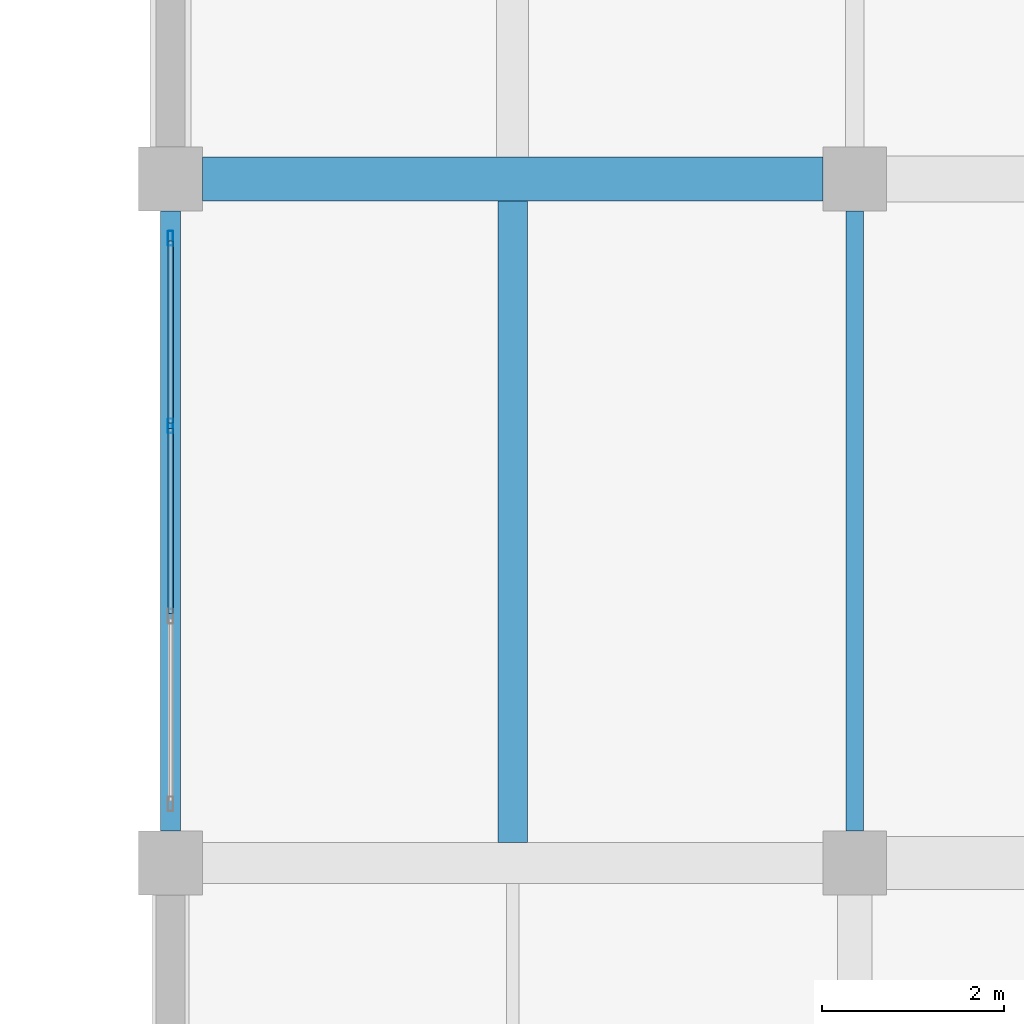
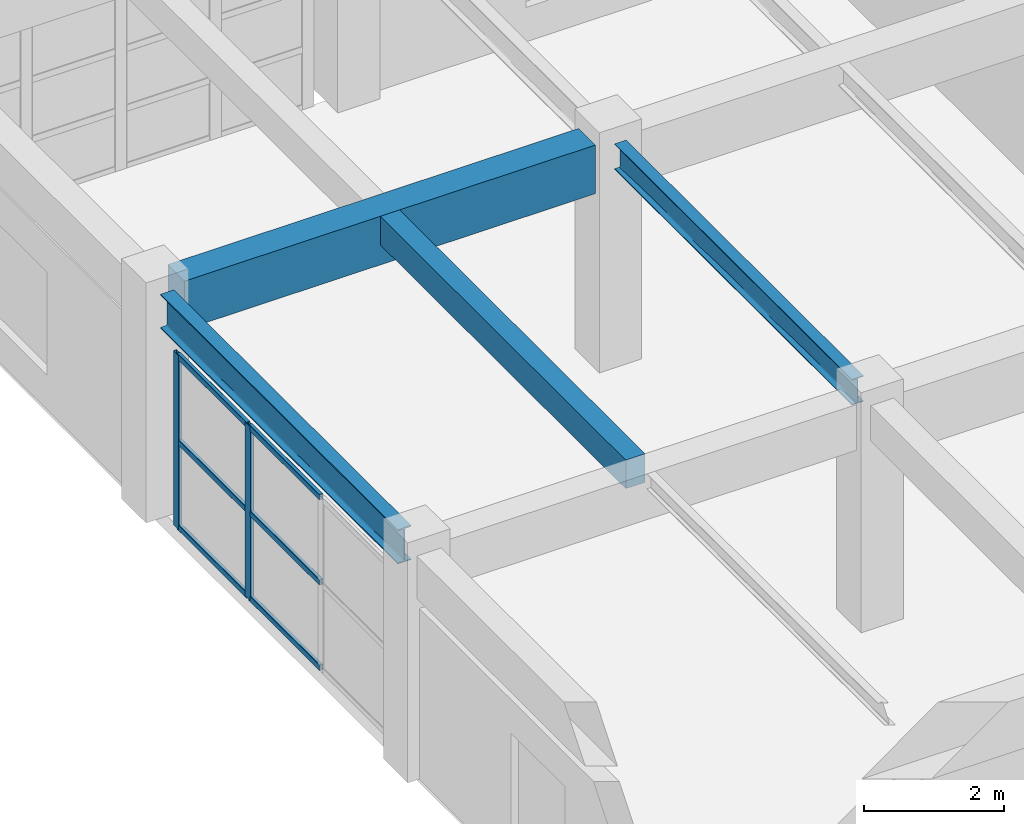
# One storey, part 62 of 132: 8 members, 4 beams, 1 element without a shape of its own.
"""IFC4 building model written with IfcOpenShell, lengths in metres."""

import ifcopenshell
import ifcopenshell.guid

model = None  # the IFC model being written
_history = None  # IfcOwnerHistory: only IFC2X3 demands one
_inside = {}  # id of a spatial element -> (the spatial element, [elements in it])
_under = {}  # id of a project, library or spatial element -> (it, [spatial elements below it])
_declared = {}  # id of a project -> (the project, [libraries it declares])
_typed = {}  # id of a type object -> (the type object, [elements of that type])
_made_of = {}  # id of a material, layer set ... -> (it, [elements and type objects made of it])


def new_model(schema):
    """Start an empty IFC model of exactly this schema.

    Asked for "IFC4X3", IfcOpenShell would pick the latest addendum, in which some entities
    have other attributes; the version numbers below select the first issue.
    IFC2X3 requires an IfcOwnerHistory on every rooted entity: one is made here for all.
    """
    global model, _history
    if schema == "IFC4X3":
        model = ifcopenshell.file(schema_version=(4, 3, 0, 0))
    else:
        model = ifcopenshell.file(schema=schema)
    _inside.clear()
    _under.clear()
    _declared.clear()
    _typed.clear()
    _made_of.clear()
    _history = None
    if model.schema == "IFC2X3":
        org = make("IfcOrganization", Name="unknown")
        user = make(
            "IfcPersonAndOrganization",
            ThePerson=make("IfcPerson", FamilyName="unknown"),
            TheOrganization=org,
        )
        app = make(
            "IfcApplication",
            ApplicationDeveloper=org,
            Version="unknown",
            ApplicationFullName="unknown",
            ApplicationIdentifier="unknown",
        )
        _history = make(
            "IfcOwnerHistory",
            OwningUser=user,
            OwningApplication=app,
            ChangeAction="ADDED",
            CreationDate=0,
        )
    return model


def make(cls, **values):
    """One entity of the class cls with the attributes given. An attribute that is None is left unset."""
    return model.create_entity(
        cls, **{name: value for name, value in values.items() if value is not None}
    )


def rooted(cls, **values):
    """An entity with a GlobalId (a new one), such as an element, a storey or a relation."""
    return make(cls, GlobalId=ifcopenshell.guid.new(), OwnerHistory=_history, **values)


def si_unit(unit_type, name, prefix=None):
    """IfcSIUnit, for example si_unit("LENGTHUNIT", "METRE", prefix="MILLI")."""
    return make("IfcSIUnit", UnitType=unit_type, Prefix=prefix, Name=name)


def assignment(units):
    """IfcUnitAssignment: the units of a project."""
    return None if units is None else make("IfcUnitAssignment", Units=units)


def point(xyz):
    """IfcCartesianPoint."""
    return None if xyz is None else make("IfcCartesianPoint", Coordinates=xyz)


def direction(xyz):
    """IfcDirection."""
    return None if xyz is None else make("IfcDirection", DirectionRatios=xyz)


def frame(location, z_axis=None, x_axis=None):
    """IfcAxis2Placement3D, a coordinate frame: its origin and axes. An axis left out is left unset."""
    return make(
        "IfcAxis2Placement3D",
        Location=point(location),
        Axis=direction(z_axis),
        RefDirection=direction(x_axis),
    )


def frame_2d(location, x_axis=None):
    """IfcAxis2Placement2D, a coordinate frame in the plane: its origin and x axis."""
    return make(
        "IfcAxis2Placement2D", Location=point(location), RefDirection=direction(x_axis)
    )


def origin():
    """The frame at (0, 0, 0) with its axes left unset."""
    return frame((0.0, 0.0, 0.0))


def origin_2d():
    """The frame at (0, 0) in the plane with its x axis left unset."""
    return frame_2d((0.0, 0.0))


def place(relative_to, where):
    """IfcLocalPlacement: puts the frame where relative to a parent placement (None: the world)."""
    return make(
        "IfcLocalPlacement", PlacementRelTo=relative_to, RelativePlacement=where
    )


def context(
    kind, dimensions, precision=None, world=None, true_north=None, identifier=None
):
    """IfcGeometricRepresentationContext, for example the 3D "Model" context."""
    return make(
        "IfcGeometricRepresentationContext",
        ContextIdentifier=identifier,
        ContextType=kind,
        CoordinateSpaceDimension=dimensions,
        Precision=precision,
        WorldCoordinateSystem=world,
        TrueNorth=true_north,
    )


def subcontext(parent, identifier, kind, view, scale=None):
    """IfcGeometricRepresentationSubContext, for example "Body" below "Model"."""
    return make(
        "IfcGeometricRepresentationSubContext",
        ContextIdentifier=identifier,
        ContextType=kind,
        ParentContext=parent,
        TargetScale=scale,
        TargetView=view,
    )


def project(units=None, contexts=None):
    """IfcProject with its units and contexts."""
    return rooted(
        "IfcProject",
        Name="project",
        RepresentationContexts=contexts,
        UnitsInContext=assignment(units),
    )


def spatial(cls, under=None, at=None, **own):
    """A site, building, storey or space (cls), placed at a placement, below another one or the project."""
    s = rooted(cls, ObjectPlacement=at, **own)
    if under is not None:
        _under.setdefault(under.id(), (under, []))[1].append(s)
    return s


def profile(cls, at=None, kind="AREA", **sizes):
    """A parametric profile (cls). Its sizes go by their IFC names, for example OverallWidth=200.0."""
    return make(cls, ProfileType=kind, Position=at, **sizes)


def rectangle(**sizes):
    """IfcRectangleProfileDef."""
    return profile("IfcRectangleProfileDef", **sizes)


def hollow_rectangle(**sizes):
    """IfcRectangleHollowProfileDef."""
    return profile("IfcRectangleHollowProfileDef", **sizes)


def i_section(**sizes):
    """IfcIShapeProfileDef."""
    return profile("IfcIShapeProfileDef", **sizes)


def extrude(swept, where, along, depth):
    """IfcExtrudedAreaSolid: the profile swept, set in the frame where, extruded along a direction by depth."""
    return make(
        "IfcExtrudedAreaSolid",
        SweptArea=swept,
        Position=where,
        ExtrudedDirection=direction(along),
        Depth=depth,
    )


def shape(context_of_items, identifier, shape_type, items):
    """IfcShapeRepresentation: the items that make up one representation, for example the "Body"."""
    return make(
        "IfcShapeRepresentation",
        ContextOfItems=context_of_items,
        RepresentationIdentifier=identifier,
        RepresentationType=shape_type,
        Items=items,
    )


def material(Name=None, Category=None):
    """IfcMaterial."""
    return make("IfcMaterial", Name=Name, Category=Category)


def material_profile(
    of_material, cross_section, Name=None, Category=None, Priority=None
):
    """IfcMaterialProfile: a cross section and its material."""
    return make(
        "IfcMaterialProfile",
        Name=Name,
        Material=of_material,
        Profile=cross_section,
        Priority=Priority,
        Category=Category,
    )


def profile_set(profiles, Name=None, composite=None):
    """IfcMaterialProfileSet."""
    return make(
        "IfcMaterialProfileSet",
        Name=Name,
        MaterialProfiles=profiles,
        CompositeProfile=composite,
    )


def made_of(thing, what):
    """Note that an element or type object is made of a material, layer set ...; save() writes the relation."""
    if what is not None:
        _made_of.setdefault(what.id(), (what, []))[1].append(thing)
    return thing


def type_object(cls, material=None, **own):
    """A type object (cls), such as IfcWallType, which elements share."""
    return made_of(rooted(cls, **own), material)


def element(
    cls,
    number,
    at=None,
    inside=None,
    cuts=None,
    type_object=None,
    material=None,
    context=None,
    identifier="Body",
    shape_type=None,
    held_by="IfcProductDefinitionShape",
    body=None,
    shapes=None,
    **own,
):
    """One element of the class cls, such as IfcWall. Its Tag is "e" and its number.

    at: its placement. inside: the storey or other place that contains it. cuts: it is an
    opening in that element (IfcRelVoidsElement). A single representation is given by context,
    identifier, shape_type and body (its items); several are given by shapes. held_by: the class
    of the entity that holds the representations. save() writes the other relations.
    """
    e = rooted(cls, Tag="e%d" % number, ObjectPlacement=at, **own)
    if body is not None:
        shapes = [shape(context, identifier, shape_type, body)]
    if shapes is not None:
        e.Representation = make(held_by, Representations=shapes)
    if inside is not None:
        _inside.setdefault(inside.id(), (inside, []))[1].append(e)
    if cuts is not None:
        rooted(
            "IfcRelVoidsElement", RelatingBuildingElement=cuts, RelatedOpeningElement=e
        )
    if type_object is not None:
        _typed.setdefault(type_object.id(), (type_object, []))[1].append(e)
    return made_of(e, material)


def aggregate(whole, parts):
    """IfcRelAggregates: a whole, such as a stair, and the parts it consists of."""
    return rooted("IfcRelAggregates", RelatingObject=whole, RelatedObjects=parts)


def save(model, path):
    """Write the relations noted so far, then the file.

    IfcRelAggregates (storeys below a building ...), IfcRelContainedInSpatialStructure (elements
    in a storey), IfcRelDefinesByType, IfcRelAssociatesMaterial and IfcRelDeclares: one each for
    every whole, place, type object, material and project.
    """
    for whole, parts in _under.values():
        aggregate(whole, parts)
    for where, things in _inside.values():
        rooted(
            "IfcRelContainedInSpatialStructure",
            RelatedElements=things,
            RelatingStructure=where,
        )
    for kind, things in _typed.values():
        rooted("IfcRelDefinesByType", RelatedObjects=things, RelatingType=kind)
    for what, things in _made_of.values():
        rooted("IfcRelAssociatesMaterial", RelatedObjects=things, RelatingMaterial=what)
    for by, libraries in _declared.values():
        rooted("IfcRelDeclares", RelatingContext=by, RelatedDefinitions=libraries)
    model.write(path)


model = new_model("IFC4")

# Units and contexts
model_context = context("Model", 3, precision=1e-05, world=origin(), true_north=direction((0.0, 1.0)))
body_context = subcontext(model_context, "Body", "Model", "MODEL_VIEW")
ifc_project = project(units=[si_unit("LENGTHUNIT", "METRE"), si_unit("AREAUNIT", "SQUARE_METRE"), si_unit("VOLUMEUNIT", "CUBIC_METRE"), si_unit("PLANEANGLEUNIT", "RADIAN"), si_unit("MASSUNIT", "GRAM", prefix="KILO")], contexts=[model_context])

# Site, building, storey
site_placement = place(None, origin())
site = spatial("IfcSite", under=ifc_project, at=site_placement, CompositionType="ELEMENT")
building_placement = place(site_placement, origin())
building = spatial("IfcBuilding", under=site, at=building_placement, Name="Qasida Concert Hall", CompositionType="ELEMENT")
storey_placement = place(building_placement, frame((0.0, 0.0, 4.800048828125)))
storey = spatial("IfcBuildingStorey", under=building, at=storey_placement, Name="L01", CompositionType="ELEMENT", Elevation=4.800048828125)

# Beams
ifc_material_1 = material(Name="Steel S355J2", Category="steel")
ifc_material_profile_1 = material_profile(ifc_material_1, i_section(OverallWidth=0.18994140625, OverallDepth=0.449951171875, WebThickness=0.009521484375, FlangeThickness=0.0146484375, FilletRadius=0.02099609375, at=origin_2d()), Name="IPE 450")
ifc_profile_set_1 = profile_set([ifc_material_profile_1], Name="Steel S355J2")
beam_type_1 = type_object("IfcBeamType", Name="BM-B5", PredefinedType="BEAM", material=ifc_profile_set_1)
beam_1_placement = place(storey_placement, frame((127.5, 97.85009765625, 3.695068359375), z_axis=(0.0, 1.0, 0.0), x_axis=(-1.0, 0.0, 0.0)))
element("IfcBeam", 1, at=beam_1_placement, inside=storey, type_object=beam_type_1, Name="L01 girder 1018", PredefinedType="BEAM", context=body_context, shape_type="SweptSolid", body=[
    extrude(i_section(OverallWidth=0.18994140625, OverallDepth=0.449951171875, WebThickness=0.009521484375, FlangeThickness=0.0146484375, FilletRadius=0.02099609375, at=origin_2d()), origin(), (0.0, 0.0, 1.0), 6.7998046875),
])
ifc_material_2 = material(Name="Concrete C40/50", Category="concrete")
ifc_material_profile_2 = material_profile(ifc_material_2, rectangle(XDim=0.47998046875, YDim=0.85009765625, at=origin_2d()), Name="RC 480x850")
ifc_profile_set_2 = profile_set([ifc_material_profile_2], Name="Concrete C40/50")
beam_type_2 = type_object("IfcBeamType", Name="BM-G6", PredefinedType="USERDEFINED", material=ifc_profile_set_2)
beam_2_placement = place(storey_placement, frame((120.35009765625, 105.0, 3.494873046875), z_axis=(1.0, 0.0, 0.0), x_axis=(0.0, 1.0, 0.0)))
element("IfcBeam", 2, at=beam_2_placement, inside=storey, type_object=beam_type_2, Name="Primary girder 0998", ObjectType="GIRDER", PredefinedType="USERDEFINED", context=body_context, shape_type="SweptSolid", body=[
    extrude(rectangle(XDim=0.47998046875, YDim=0.85009765625, at=origin_2d()), origin(), (0.0, 0.0, 1.0), 6.7998046875),
])
ifc_material_profile_3 = material_profile(ifc_material_2, rectangle(XDim=0.320068359375, YDim=0.5, at=origin_2d()), Name="RC 320x500")
ifc_profile_set_3 = profile_set([ifc_material_profile_3], Name="Concrete C40/50")
beam_type_3 = type_object("IfcBeamType", Name="BM-J7", PredefinedType="JOIST", material=ifc_profile_set_3)
beam_3_placement = place(storey_placement, frame((123.75, 97.72509765625, 3.669921875), z_axis=(0.0, 1.0, 0.0), x_axis=(-1.0, 0.0, 0.0)))
element("IfcBeam", 3, at=beam_3_placement, inside=storey, type_object=beam_type_3, Name="L01 secondary joist 1046", PredefinedType="JOIST", context=body_context, shape_type="SweptSolid", body=[
    extrude(rectangle(XDim=0.320068359375, YDim=0.5, at=origin_2d()), origin(), (0.0, 0.0, 1.0), 7.034912109375),
])
ifc_material_profile_4 = material_profile(ifc_material_1, i_section(OverallWidth=0.219970703125, OverallDepth=0.60009765625, WebThickness=0.011962890625, FlangeThickness=0.01904296875, FilletRadius=0.02392578125, at=origin_2d()), Name="IPE 600")
ifc_profile_set_4 = profile_set([ifc_material_profile_4], Name="Steel S355J2")
beam_type_4 = type_object("IfcBeamType", Name="BM-SP3", PredefinedType="SPANDREL", material=ifc_profile_set_4)
beam_4_placement = place(storey_placement, frame((120.0, 97.85009765625, 3.619873046875), z_axis=(0.0, 1.0, 0.0), x_axis=(-1.0, 0.0, 0.0)))
element("IfcBeam", 4, at=beam_4_placement, inside=storey, type_object=beam_type_4, Name="L01 girder 1013", PredefinedType="SPANDREL", context=body_context, shape_type="SweptSolid", body=[
    extrude(i_section(OverallWidth=0.219970703125, OverallDepth=0.60009765625, WebThickness=0.011962890625, FlangeThickness=0.01904296875, FilletRadius=0.02392578125, at=origin_2d()), origin(), (0.0, 0.0, 1.0), 6.7998046875),
])

# Curtain wall, members
ifc_material_3 = material(Name="Architectural bronze-anodized aluminium and low-E glass", Category="aluminium")
curtain_wall_type = type_object("IfcCurtainWallType", Name="CW-09", PredefinedType="NOTDEFINED", material=ifc_material_3)
curtain_wall_placement = place(storey_placement, origin())
curtain_wall = element("IfcCurtainWall", 5, at=curtain_wall_placement, inside=storey, type_object=curtain_wall_type, Name="L01 curtain wall CW-09 0167", PredefinedType="NOTDEFINED")
ifc_material_4 = material(Name="Architectural bronze-anodized aluminium EN AW-6063", Category="aluminium")
ifc_material_profile_5 = material_profile(ifc_material_4, hollow_rectangle(XDim=0.06005859375, YDim=0.159912109375, WallThickness=0.00390625, InnerFilletRadius=0.00390625, OuterFilletRadius=0.008056640625, at=origin_2d()), Name="CWM 160x60x4")
ifc_profile_set_5 = profile_set([ifc_material_profile_5], Name="Architectural bronze-anodized aluminium EN AW-6063")
member_type_1 = type_object("IfcMemberType", Name="MB-CWM-3", PredefinedType="MULLION", material=ifc_profile_set_5)
member_1_placement = place(storey_placement, frame((120.0, 102.293212890625, 0.0), z_axis=(0.0, 0.0, 1.0), x_axis=(-1.0, 0.0, 0.0)))
member_1 = element("IfcMember", 6, at=member_1_placement, type_object=member_type_1, Name="CW-09 mullion 3", PredefinedType="MULLION", context=body_context, shape_type="SweptSolid", body=[
    extrude(hollow_rectangle(XDim=0.06005859375, YDim=0.159912109375, WallThickness=0.00390625, InnerFilletRadius=0.00390625, OuterFilletRadius=0.008056640625, at=origin_2d()), origin(), (0.0, 0.0, 1.0), 3.0400390625),
])
member_2_placement = place(storey_placement, frame((120.0, 104.35009765625, 0.0), z_axis=(0.0, 0.0, 1.0), x_axis=(-1.0, 0.0, 0.0)))
member_2 = element("IfcMember", 7, at=member_2_placement, type_object=member_type_1, Name="CW-09 mullion 4", PredefinedType="MULLION", context=body_context, shape_type="SweptSolid", body=[
    extrude(hollow_rectangle(XDim=0.06005859375, YDim=0.159912109375, WallThickness=0.00390625, InnerFilletRadius=0.00390625, OuterFilletRadius=0.008056640625, at=origin_2d()), origin(), (0.0, 0.0, 1.0), 3.0400390625),
])
ifc_material_profile_6 = material_profile(ifc_material_4, hollow_rectangle(XDim=0.06005859375, YDim=0.10009765625, WallThickness=0.00341796875, InnerFilletRadius=0.00341796875, OuterFilletRadius=0.007080078125, at=origin_2d()), Name="CWT 100x60x3.5")
ifc_profile_set_6 = profile_set([ifc_material_profile_6], Name="Architectural bronze-anodized aluminium EN AW-6063")
member_type_2 = type_object("IfcMemberType", Name="MB-CWT-3", PredefinedType="USERDEFINED", material=ifc_profile_set_6)
member_3_placement = place(storey_placement, frame((120.0, 100.236572265625, 0.030029296875), z_axis=(0.0, 1.0, 0.0), x_axis=(-1.0, 0.0, 0.0)))
member_3 = element("IfcMember", 8, at=member_3_placement, type_object=member_type_2, Name="CW-09 transom 2.1", ObjectType="TRANSOM", PredefinedType="USERDEFINED", context=body_context, shape_type="SweptSolid", body=[
    extrude(hollow_rectangle(XDim=0.06005859375, YDim=0.10009765625, WallThickness=0.00341796875, InnerFilletRadius=0.00341796875, OuterFilletRadius=0.007080078125, at=origin_2d()), origin(), (0.0, 0.0, 1.0), 2.02685546875),
])
member_4_placement = place(storey_placement, frame((120.0, 100.236572265625, 1.52001953125), z_axis=(0.0, 1.0, 0.0), x_axis=(-1.0, 0.0, 0.0)))
member_4 = element("IfcMember", 9, at=member_4_placement, type_object=member_type_2, Name="CW-09 transom 2.2", ObjectType="TRANSOM", PredefinedType="USERDEFINED", context=body_context, shape_type="SweptSolid", body=[
    extrude(hollow_rectangle(XDim=0.06005859375, YDim=0.10009765625, WallThickness=0.00341796875, InnerFilletRadius=0.00341796875, OuterFilletRadius=0.007080078125, at=origin_2d()), origin(), (0.0, 0.0, 1.0), 2.02685546875),
])
member_5_placement = place(storey_placement, frame((120.0, 100.236572265625, 3.010009765625), z_axis=(0.0, 1.0, 0.0), x_axis=(-1.0, 0.0, 0.0)))
member_5 = element("IfcMember", 10, at=member_5_placement, type_object=member_type_2, Name="CW-09 transom 2.3", ObjectType="TRANSOM", PredefinedType="USERDEFINED", context=body_context, shape_type="SweptSolid", body=[
    extrude(hollow_rectangle(XDim=0.06005859375, YDim=0.10009765625, WallThickness=0.00341796875, InnerFilletRadius=0.00341796875, OuterFilletRadius=0.007080078125, at=origin_2d()), origin(), (0.0, 0.0, 1.0), 2.02685546875),
])
member_6_placement = place(storey_placement, frame((120.0, 102.3232421875, 0.030029296875), z_axis=(0.0, 1.0, 0.0), x_axis=(-1.0, 0.0, 0.0)))
member_6 = element("IfcMember", 11, at=member_6_placement, type_object=member_type_2, Name="CW-09 transom 3.1", ObjectType="TRANSOM", PredefinedType="USERDEFINED", context=body_context, shape_type="SweptSolid", body=[
    extrude(hollow_rectangle(XDim=0.06005859375, YDim=0.10009765625, WallThickness=0.00341796875, InnerFilletRadius=0.00341796875, OuterFilletRadius=0.007080078125, at=origin_2d()), origin(), (0.0, 0.0, 1.0), 1.996826171875),
])
member_7_placement = place(storey_placement, frame((120.0, 102.3232421875, 1.52001953125), z_axis=(0.0, 1.0, 0.0), x_axis=(-1.0, 0.0, 0.0)))
member_7 = element("IfcMember", 12, at=member_7_placement, type_object=member_type_2, Name="CW-09 transom 3.2", ObjectType="TRANSOM", PredefinedType="USERDEFINED", context=body_context, shape_type="SweptSolid", body=[
    extrude(hollow_rectangle(XDim=0.06005859375, YDim=0.10009765625, WallThickness=0.00341796875, InnerFilletRadius=0.00341796875, OuterFilletRadius=0.007080078125, at=origin_2d()), origin(), (0.0, 0.0, 1.0), 1.996826171875),
])
member_8_placement = place(storey_placement, frame((120.0, 102.3232421875, 3.010009765625), z_axis=(0.0, 1.0, 0.0), x_axis=(-1.0, 0.0, 0.0)))
member_8 = element("IfcMember", 13, at=member_8_placement, type_object=member_type_2, Name="CW-09 transom 3.3", ObjectType="TRANSOM", PredefinedType="USERDEFINED", context=body_context, shape_type="SweptSolid", body=[
    extrude(hollow_rectangle(XDim=0.06005859375, YDim=0.10009765625, WallThickness=0.00341796875, InnerFilletRadius=0.00341796875, OuterFilletRadius=0.007080078125, at=origin_2d()), origin(), (0.0, 0.0, 1.0), 1.996826171875),
])
aggregate(curtain_wall, [member_1, member_2, member_3, member_4, member_5, member_6, member_7, member_8])

save(model, "model.ifc")
